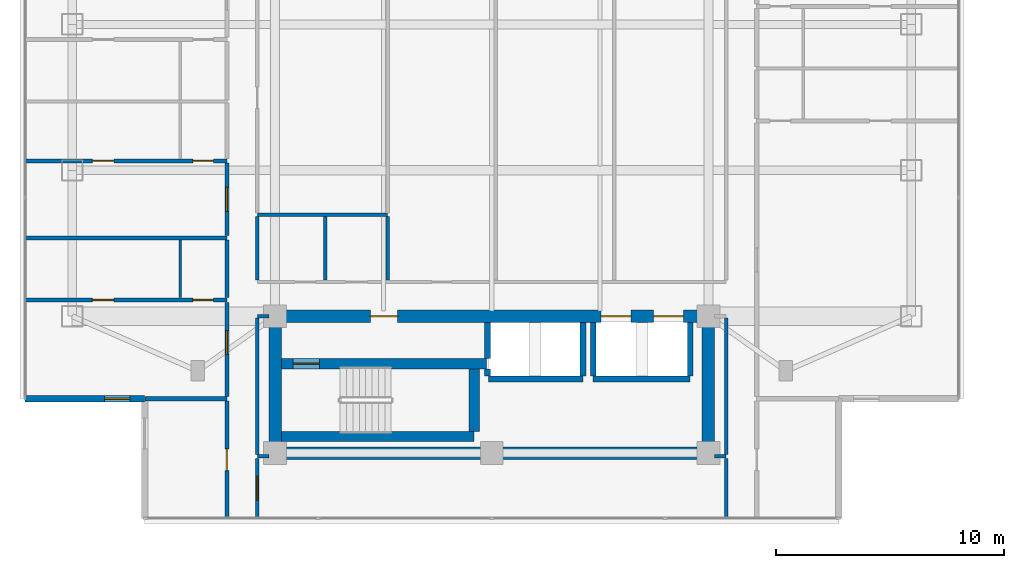
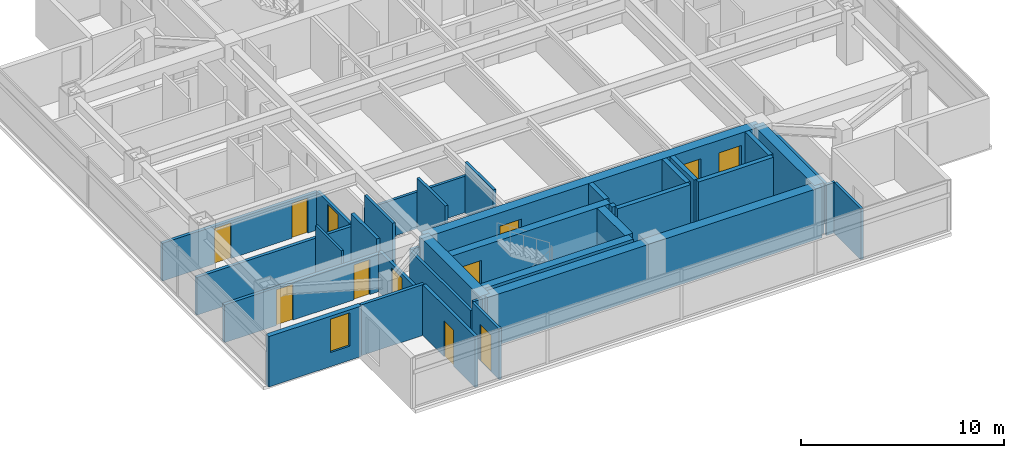
# One storey, part 12 of 24: 35 walls, 12 doors, 1 window, 13 openings.
"""IFC4 building model written with IfcOpenShell, lengths in metres."""

from ifc_helpers import new_model, si_unit, direction, frame, frame_2d, origin, place, context, subcontext, project, spatial, rectangle, extrude, material, layer, layer_set, type_object, element, fill, save


model = new_model("IFC4")

# Units and contexts
model_context = context("Model", 3, precision=1e-05, world=origin(), true_north=direction((0.0, 1.0)))
body_context = subcontext(model_context, "Body", "Model", "MODEL_VIEW")
ifc_project = project(units=[si_unit("LENGTHUNIT", "METRE"), si_unit("AREAUNIT", "SQUARE_METRE"), si_unit("VOLUMEUNIT", "CUBIC_METRE"), si_unit("PLANEANGLEUNIT", "RADIAN"), si_unit("MASSUNIT", "GRAM", prefix="KILO")], contexts=[model_context])

# Site, building, storey
site_placement = place(None, origin())
site = spatial("IfcSite", under=ifc_project, at=site_placement, CompositionType="ELEMENT")
building_placement = place(site_placement, origin())
building = spatial("IfcBuilding", under=site, at=building_placement, Name="Mirazonda Arch Towers", CompositionType="ELEMENT")
storey_placement = place(building_placement, frame((0.0, 0.0, 164.14990234375)))
storey = spatial("IfcBuildingStorey", under=building, at=storey_placement, Name="L46", CompositionType="ELEMENT", Elevation=164.14990234375)

# Wall
ifc_material_1 = material(Name="Concrete C50/60", Category="concrete")
ifc_layer_1 = layer(ifc_material_1, 0.449951171875, Name="WALL-CORE-450")
ifc_layer_set_1 = layer_set([ifc_layer_1], Name="Concrete C50/60")
wall_type_1 = type_object("IfcWallType", Name="WALL-CORE-450", PredefinedType="SHEAR", material=ifc_layer_set_1)
wall_1_placement = place(storey_placement, frame((11.27001953125, 13.1201171875, 0.0), z_axis=(0.0, 0.0, 1.0), x_axis=(1.0, 0.0, 0.0)))
element("IfcWall", 1, at=wall_1_placement, inside=storey, type_object=wall_type_1, Name="L46 Stair Core Shear Wall 003", PredefinedType="SHEAR", context=body_context, shape_type="SweptSolid", body=[
    extrude(rectangle(XDim=8.4599609375, YDim=0.449951171875, at=frame_2d((4.22998046875, 0.0))), origin(), (0.0, 0.0, 1.0), 3.050048828125),
])

# Wall, opening, door
wall_2_placement = place(storey_placement, frame((11.27001953125, 16.320068359375, 0.0), z_axis=(0.0, 0.0, 1.0), x_axis=(1.0, 0.0, 0.0)))
wall_2 = element("IfcWall", 2, at=wall_2_placement, inside=storey, type_object=wall_type_1, Name="L46 Stair Core Shear Wall 008", PredefinedType="SHEAR", context=body_context, shape_type="SweptSolid", body=[
    extrude(rectangle(XDim=9.010009765625, YDim=0.449951171875, at=frame_2d((4.5048828125, 0.0))), origin(), (0.0, 0.0, 1.0), 3.050048828125),
])
opening_1_placement = place(wall_2_placement, frame((0.52001953125, 0.0, 0.0)))
opening_1 = element("IfcOpeningElement", 3, at=opening_1_placement, cuts=wall_2, Name="Opening DR-135", PredefinedType="OPENING", context=body_context, shape_type="SweptSolid", body=[
    extrude(rectangle(XDim=1.14990234375, YDim=2.199951171875, at=frame_2d((0.574951171875, 1.10009765625))), frame((0.0, 0.23486328125, 0.0), z_axis=(0.0, -1.0, 0.0), x_axis=(1.0, 0.0, 0.0)), (0.0, 0.0, 1.0), 0.469970703125),
])
ifc_material_2 = material(Name="Architectural Brushed Steel S355", Category="steel")
door_type_1 = type_object("IfcDoorType", Name="DOOR-STAIR-FD90-1150", OperationType="NOTDEFINED", PredefinedType="DOOR", material=ifc_material_2)
door_1_placement = place(opening_1_placement, origin())
door_1 = element("IfcDoor", 4, at=door_1_placement, inside=storey, type_object=door_type_1, Name="L46 Protected Exit Stair South Door", OperationType="SINGLE_SWING_LEFT", OverallHeight=2.199951171875, OverallWidth=1.14990234375, PredefinedType="DOOR", context=body_context, shape_type="SweptSolid", body=[
    extrude(rectangle(XDim=1.14990234375, YDim=2.199951171875, at=frame_2d((0.574951171875, 1.10009765625))), frame((0.0, 0.02490234375, 0.0), z_axis=(0.0, -1.0, 0.0), x_axis=(1.0, 0.0, 0.0)), (0.0, 0.0, 1.0), 0.050048828125),
])
fill(opening_1, door_1)

# Walls
wall_3_placement = place(storey_placement, frame((19.72998046875, 13.35498046875, 0.0), z_axis=(0.0, 0.0, 1.0), x_axis=(0.0, 1.0, 0.0)))
element("IfcWall", 5, at=wall_3_placement, inside=storey, type_object=wall_type_1, Name="L46 Stair Core Shear Wall 089", PredefinedType="SHEAR", context=body_context, shape_type="SweptSolid", body=[
    extrude(rectangle(XDim=2.72998046875, YDim=0.449951171875, at=frame_2d((1.364990234375, 0.0))), origin(), (0.0, 0.0, 1.0), 3.050048828125),
])
ifc_layer_2 = layer(ifc_material_1, 0.550048828125, Name="WALL-CORE-550")
ifc_layer_set_2 = layer_set([ifc_layer_2], Name="Concrete C50/60")
wall_type_2 = type_object("IfcWallType", Name="WALL-CORE-550", PredefinedType="SHEAR", material=ifc_layer_set_2)
wall_4_placement = place(storey_placement, frame((11.0, 12.39990234375, 0.0), z_axis=(0.0, 0.0, 1.0), x_axis=(1.0, 0.0, 0.0)))
element("IfcWall", 6, at=wall_4_placement, inside=storey, type_object=wall_type_2, Name="L46 T1S-S Core Shear Wall", PredefinedType="SHEAR", context=body_context, shape_type="SweptSolid", body=[
    extrude(rectangle(XDim=19.0, YDim=0.550048828125, at=frame_2d((9.5, 0.0))), origin(), (0.0, 0.0, 1.0), 3.050048828125),
])
for number, where, z_axis, x_axis, name in (
    (7, (11.0, 12.39990234375, 0.0), (0.0, 0.0, 1.0), (0.0, 1.0, 0.0), "L46 T1S-W Core Shear Wall"),
    (8, (30.0, 12.39990234375, 0.0), (0.0, 0.0, 1.0), (0.0, 1.0, 0.0), "L46 T1S-E Core Shear Wall"),
):
    element("IfcWall", number, at=place(storey_placement, frame(where, z_axis=z_axis, x_axis=x_axis)), inside=storey, type_object=wall_type_2, Name=name, PredefinedType="SHEAR", context=body_context, shape_type="SweptSolid", body=[
        extrude(rectangle(XDim=6.0, YDim=0.550048828125, at=frame_2d((3.0, 0.0))), origin(), (0.0, 0.0, 1.0), 3.050048828125),
    ])

# Wall, openings, doors
wall_5_placement = place(storey_placement, frame((11.0, 18.39990234375, 0.0), z_axis=(0.0, 0.0, 1.0), x_axis=(1.0, 0.0, 0.0)))
wall_5 = element("IfcWall", 9, at=wall_5_placement, inside=storey, type_object=wall_type_2, Name="L46 T1S-N Core Shear Wall", PredefinedType="SHEAR", context=body_context, shape_type="SweptSolid", body=[
    extrude(rectangle(XDim=19.0, YDim=0.550048828125, at=frame_2d((9.5, 0.0))), origin(), (0.0, 0.0, 1.0), 3.050048828125),
])
opening_2_placement = place(wall_5_placement, frame((4.175048828125, 0.0, 0.0)))
opening_2 = element("IfcOpeningElement", 10, at=opening_2_placement, cuts=wall_5, Name="Opening DR-117", PredefinedType="OPENING", context=body_context, shape_type="SweptSolid", body=[
    extrude(rectangle(XDim=1.199951171875, YDim=2.25, at=frame_2d((0.60009765625, 1.125))), frame((0.0, 0.284912109375, 0.0), z_axis=(0.0, -1.0, 0.0), x_axis=(1.0, 0.0, 0.0)), (0.0, 0.0, 1.0), 0.570068359375),
])
opening_3_placement = place(wall_5_placement, frame((14.300048828125, 0.0, 0.0)))
opening_3 = element("IfcOpeningElement", 11, at=opening_3_placement, cuts=wall_5, Name="Opening LD-111", PredefinedType="OPENING", context=body_context, shape_type="SweptSolid", body=[
    extrude(rectangle(XDim=1.300048828125, YDim=2.300048828125, at=frame_2d((0.64990234375, 1.14990234375))), frame((0.0, 0.284912109375, 0.0), z_axis=(0.0, -1.0, 0.0), x_axis=(1.0, 0.0, 0.0)), (0.0, 0.0, 1.0), 0.570068359375),
])
opening_4_placement = place(wall_5_placement, frame((16.60009765625, 0.0, 0.0)))
opening_4 = element("IfcOpeningElement", 12, at=opening_4_placement, cuts=wall_5, Name="Opening LD-111", PredefinedType="OPENING", context=body_context, shape_type="SweptSolid", body=[
    extrude(rectangle(XDim=1.300048828125, YDim=2.300048828125, at=frame_2d((0.64990234375, 1.14990234375))), frame((0.0, 0.284912109375, 0.0), z_axis=(0.0, -1.0, 0.0), x_axis=(1.0, 0.0, 0.0)), (0.0, 0.0, 1.0), 0.570068359375),
])
door_type_2 = type_object("IfcDoorType", Name="DOOR-FFL-FD90-1200", OperationType="NOTDEFINED", PredefinedType="DOOR", material=ifc_material_2)
door_2_placement = place(opening_2_placement, origin())
door_2 = element("IfcDoor", 13, at=door_2_placement, inside=storey, type_object=door_type_2, Name="L46 South Core Stair & Lift Lobby Door", OperationType="SINGLE_SWING_RIGHT", OverallHeight=2.25, OverallWidth=1.199951171875, PredefinedType="DOOR", context=body_context, shape_type="SweptSolid", body=[
    extrude(rectangle(XDim=1.199951171875, YDim=2.25, at=frame_2d((0.60009765625, 1.125))), frame((0.0, 0.02490234375, 0.0), z_axis=(0.0, -1.0, 0.0), x_axis=(1.0, 0.0, 0.0)), (0.0, 0.0, 1.0), 0.050048828125),
])
fill(opening_2, door_2)
door_type_3 = type_object("IfcDoorType", Name="DOOR-LIFT-LAND-1300", OperationType="NOTDEFINED", PredefinedType="DOOR", material=ifc_material_2)
door_3_placement = place(opening_3_placement, origin())
door_3 = element("IfcDoor", 14, at=door_3_placement, inside=storey, type_object=door_type_3, Name="L46 Lift Landing Sliding Door PL-T1H1", OperationType="DOUBLE_DOOR_SLIDING", OverallHeight=2.300048828125, OverallWidth=1.300048828125, PredefinedType="DOOR", context=body_context, shape_type="SweptSolid", body=[
    extrude(rectangle(XDim=1.300048828125, YDim=2.300048828125, at=frame_2d((0.64990234375, 1.14990234375))), frame((0.0, 0.02490234375, 0.0), z_axis=(0.0, -1.0, 0.0), x_axis=(1.0, 0.0, 0.0)), (0.0, 0.0, 1.0), 0.050048828125),
])
fill(opening_3, door_3)
door_4_placement = place(opening_4_placement, origin())
door_4 = element("IfcDoor", 15, at=door_4_placement, inside=storey, type_object=door_type_3, Name="L46 Lift Landing Sliding Door PL-T1H2", OperationType="DOUBLE_DOOR_SLIDING", OverallHeight=2.300048828125, OverallWidth=1.300048828125, PredefinedType="DOOR", context=body_context, shape_type="SweptSolid", body=[
    extrude(rectangle(XDim=1.300048828125, YDim=2.300048828125, at=frame_2d((0.64990234375, 1.14990234375))), frame((0.0, 0.02490234375, 0.0), z_axis=(0.0, -1.0, 0.0), x_axis=(1.0, 0.0, 0.0)), (0.0, 0.0, 1.0), 0.050048828125),
])
fill(opening_4, door_4)

# Wall, opening, window
ifc_material_3 = material(Name="Precast Concrete C40/50", Category="concrete")
ifc_layer_3 = layer(ifc_material_3, 0.280029296875, Name="WALL-EXT-WALL-280")
ifc_layer_set_3 = layer_set([ifc_layer_3], Name="Precast Concrete C40/50")
wall_type_3 = type_object("IfcWallType", Name="WALL-EXT-WALL-280", PredefinedType="SOLIDWALL", material=ifc_layer_set_3)
wall_6_placement = place(storey_placement, frame((0.030029296875, 14.781005859375, 0.0), z_axis=(0.0, 0.0, 1.0), x_axis=(1.0, 0.0, 0.0)))
wall_6 = element("IfcWall", 16, at=wall_6_placement, inside=storey, type_object=wall_type_3, Name="L46 T1 Corner Notch Return Wall WL-L46-T1-CSW2", PredefinedType="SOLIDWALL", context=body_context, shape_type="SweptSolid", body=[
    extrude(rectangle(XDim=5.244873046875, YDim=0.280029296875, at=frame_2d((2.62255859375, 0.0))), origin(), (0.0, 0.0, 1.0), 3.030029296875),
])
opening_5_placement = place(wall_6_placement, frame((3.4951171875, 0.0, 0.85009765625)))
opening_5 = element("IfcOpeningElement", 17, at=opening_5_placement, cuts=wall_6, Name="Opening WN-108", PredefinedType="OPENING", context=body_context, shape_type="SweptSolid", body=[
    extrude(rectangle(XDim=1.10009765625, YDim=2.0, at=frame_2d((0.550048828125, 1.0))), frame((0.0, 0.14990234375, 0.0), z_axis=(0.0, -1.0, 0.0), x_axis=(1.0, 0.0, 0.0)), (0.0, 0.0, 1.0), 0.300048828125),
])
ifc_material_4 = material(Name="Insulated Low-E Solar Glass", Category="glass")
window_type = type_object("IfcWindowType", Name="WIN-NOTCH-1100x2000", PartitioningType="SINGLE_PANEL", PredefinedType="WINDOW", material=ifc_material_4)
window_placement = place(opening_5_placement, origin())
window = element("IfcWindow", 18, at=window_placement, inside=storey, type_object=window_type, Name="L46 Punched Facade Window WN-L46-T1-CSW2", OverallHeight=2.0, OverallWidth=1.10009765625, PartitioningType="SINGLE_PANEL", PredefinedType="WINDOW", context=body_context, shape_type="SweptSolid", body=[
    extrude(rectangle(XDim=1.10009765625, YDim=2.0, at=frame_2d((0.550048828125, 1.0))), frame((0.0, 0.030029296875, 0.0), z_axis=(0.0, -1.0, 0.0), x_axis=(1.0, 0.0, 0.0)), (0.0, 0.0, 1.0), 0.06005859375),
])
fill(opening_5, window)

# Walls
ifc_material_5 = material(Name="Fire-Rated Gypsum Stud Partition")
ifc_layer_4 = layer(ifc_material_5, 0.14990234375, Name="WALL-PART-CORR-150")
ifc_layer_set_4 = layer_set([ifc_layer_4], Name="Fire-Rated Gypsum Stud Partition")
wall_type_4 = type_object("IfcWallType", Name="WALL-PART-CORR-150", PredefinedType="PARTITIONING", material=ifc_layer_set_4)
for number, where, z_axis, x_axis, name in (
    (19, (10.219970703125, 12.25, 0.0), (0.0, 0.0, 1.0), (1.0, 0.0, 0.0), "L46 Interior Partition 001"),
    (20, (30.27001953125, 12.25, 0.0), (0.0, 0.0, 1.0), (1.0, 0.0, 0.0), "L46 Interior Partition 002"),
):
    element("IfcWall", number, at=place(storey_placement, frame(where, z_axis=z_axis, x_axis=x_axis)), inside=storey, type_object=wall_type_4, Name=name, PredefinedType="PARTITIONING", context=body_context, shape_type="SweptSolid", body=[
        extrude(rectangle(XDim=0.510009765625, YDim=0.14990234375, at=frame_2d((0.2548828125, 0.0))), origin(), (0.0, 0.0, 1.0), 3.050048828125),
    ])
wall_7_placement = place(storey_placement, frame((10.219970703125, 18.39990234375, 0.0), z_axis=(0.0, 0.0, 1.0), x_axis=(1.0, 0.0, 0.0)))
element("IfcWall", 21, at=wall_7_placement, inside=storey, type_object=wall_type_4, Name="L46 Interior Partition 012", PredefinedType="PARTITIONING", context=body_context, shape_type="SweptSolid", body=[
    extrude(rectangle(XDim=0.510009765625, YDim=0.14990234375, at=frame_2d((0.2548828125, 0.0))), origin(), (0.0, 0.0, 1.0), 2.442138671875),
])
wall_8_placement = place(storey_placement, frame((10.219970703125, 22.85009765625, 0.0), z_axis=(0.0, 0.0, 1.0), x_axis=(1.0, 0.0, 0.0)))
element("IfcWall", 22, at=wall_8_placement, inside=storey, type_object=wall_type_4, Name="L46 Interior Partition 024", PredefinedType="PARTITIONING", context=body_context, shape_type="SweptSolid", body=[
    extrude(rectangle(XDim=5.7099609375, YDim=0.14990234375, at=frame_2d((2.85498046875, 0.0))), origin(), (0.0, 0.0, 1.0), 2.18603515625),
])

# Wall, opening, door
wall_9_placement = place(storey_placement, frame((10.219970703125, 9.535888671875, 0.0), z_axis=(0.0, 0.0, 1.0), x_axis=(0.0, 1.0, 0.0)))
wall_9 = element("IfcWall", 23, at=wall_9_placement, inside=storey, type_object=wall_type_4, Name="L46 Interior Partition 076", PredefinedType="PARTITIONING", context=body_context, shape_type="SweptSolid", body=[
    extrude(rectangle(XDim=2.629150390625, YDim=0.14990234375, at=frame_2d((1.314453125, 0.0))), origin(), (0.0, 0.0, 1.0), 3.050048828125),
])
opening_6_placement = place(wall_9_placement, frame((0.78955078125, 0.0, 0.0)))
opening_6 = element("IfcOpeningElement", 24, at=opening_6_placement, cuts=wall_9, Name="Opening DR-121", PredefinedType="OPENING", context=body_context, shape_type="SweptSolid", body=[
    extrude(rectangle(XDim=1.050048828125, YDim=2.199951171875, at=frame_2d((0.52490234375, 1.10009765625))), frame((0.0, 0.0849609375, 0.0), z_axis=(0.0, -1.0, 0.0), x_axis=(1.0, 0.0, 0.0)), (0.0, 0.0, 1.0), 0.169921875),
])
door_type_4 = type_object("IfcDoorType", Name="DOOR-SUITE-FD60-1050", OperationType="NOTDEFINED", PredefinedType="DOOR", material=ifc_material_2)
door_5_placement = place(opening_6_placement, origin())
door_5 = element("IfcDoor", 25, at=door_5_placement, inside=storey, type_object=door_type_4, Name="L46 South Horizon Lounge Gallery Door", OperationType="SINGLE_SWING_RIGHT", OverallHeight=2.199951171875, OverallWidth=1.050048828125, PredefinedType="DOOR", context=body_context, shape_type="SweptSolid", body=[
    extrude(rectangle(XDim=1.050048828125, YDim=2.199951171875, at=frame_2d((0.52490234375, 1.10009765625))), frame((0.0, 0.02490234375, 0.0), z_axis=(0.0, -1.0, 0.0), x_axis=(1.0, 0.0, 0.0)), (0.0, 0.0, 1.0), 0.050048828125),
])
fill(opening_6, door_5)

# Walls
wall_10_placement = place(storey_placement, frame((10.219970703125, 12.3349609375, 0.0), z_axis=(0.0, 0.0, 1.0), x_axis=(0.0, 1.0, 0.0)))
element("IfcWall", 26, at=wall_10_placement, inside=storey, type_object=wall_type_4, Name="L46 Interior Partition 077", PredefinedType="PARTITIONING", context=body_context, shape_type="SweptSolid", body=[
    extrude(rectangle(XDim=5.97998046875, YDim=0.14990234375, at=frame_2d((2.989990234375, 0.0))), origin(), (0.0, 0.0, 1.0), 2.442138671875),
])
for number, where, z_axis, x_axis, name in (
    (27, (10.219970703125, 19.985107421875, 0.0), (0.0, 0.0, 1.0), (0.0, 1.0, 0.0), "L46 Interior Partition 078"),
    (28, (13.199951171875, 19.985107421875, 0.0), (0.0, 0.0, 1.0), (0.0, 1.0, 0.0), "L46 Interior Partition 083"),
    (29, (15.929931640625, 19.985107421875, 0.0), (0.0, 0.0, 1.0), (0.0, 1.0, 0.0), "L46 Interior Partition 085"),
):
    element("IfcWall", number, at=place(storey_placement, frame(where, z_axis=z_axis, x_axis=x_axis)), inside=storey, type_object=wall_type_4, Name=name, PredefinedType="PARTITIONING", context=body_context, shape_type="SweptSolid", body=[
        extrude(rectangle(XDim=2.77978515625, YDim=0.14990234375, at=frame_2d((1.389892578125, 0.0))), origin(), (0.0, 0.0, 1.0), 3.050048828125),
    ])
wall_11_placement = place(storey_placement, frame((30.780029296875, 9.535888671875, 0.0), z_axis=(0.0, 0.0, 1.0), x_axis=(0.0, 1.0, 0.0)))
element("IfcWall", 30, at=wall_11_placement, inside=storey, type_object=wall_type_4, Name="L46 Interior Partition 106", PredefinedType="PARTITIONING", context=body_context, shape_type="SweptSolid", body=[
    extrude(rectangle(XDim=2.629150390625, YDim=0.14990234375, at=frame_2d((1.314453125, 0.0))), origin(), (0.0, 0.0, 1.0), 3.050048828125),
])
wall_12_placement = place(storey_placement, frame((30.780029296875, 12.3349609375, 0.0), z_axis=(0.0, 0.0, 1.0), x_axis=(0.0, 1.0, 0.0)))
element("IfcWall", 31, at=wall_12_placement, inside=storey, type_object=wall_type_4, Name="L46 Interior Partition 107", PredefinedType="PARTITIONING", context=body_context, shape_type="SweptSolid", body=[
    extrude(rectangle(XDim=5.97998046875, YDim=0.14990234375, at=frame_2d((2.989990234375, 0.0))), origin(), (0.0, 0.0, 1.0), 2.442138671875),
])
ifc_material_6 = material(Name="Fire-Rated Gypsum Twin-Stud Assembly")
ifc_layer_5 = layer(ifc_material_6, 0.179931640625, Name="WALL-PART-DEMISE-180")
ifc_layer_set_5 = layer_set([ifc_layer_5], Name="Fire-Rated Gypsum Twin-Stud Assembly")
wall_type_5 = type_object("IfcWallType", Name="WALL-PART-DEMISE-180", PredefinedType="PARTITIONING", material=ifc_layer_set_5)
wall_13_placement = place(storey_placement, frame((5.294921875, 14.781005859375, 0.0), z_axis=(0.0, 0.0, 1.0), x_axis=(1.0, 0.0, 0.0)))
element("IfcWall", 32, at=wall_13_placement, inside=storey, type_object=wall_type_5, Name="L46 Interior Partition 004", PredefinedType="PARTITIONING", context=body_context, shape_type="SweptSolid", body=[
    extrude(rectangle(XDim=3.5849609375, YDim=0.179931640625, at=frame_2d((1.79248046875, 0.0))), origin(), (0.0, 0.0, 1.0), 3.050048828125),
])

# Wall, openings, doors
wall_14_placement = place(storey_placement, frame((0.030029296875, 19.113037109375, 0.0), z_axis=(0.0, 0.0, 1.0), x_axis=(1.0, 0.0, 0.0)))
wall_14 = element("IfcWall", 33, at=wall_14_placement, inside=storey, type_object=wall_type_5, Name="L46 Interior Partition 015", PredefinedType="PARTITIONING", context=body_context, shape_type="SweptSolid", body=[
    extrude(rectangle(XDim=8.849853515625, YDim=0.179931640625, at=frame_2d((4.4248046875, 0.0))), origin(), (0.0, 0.0, 1.0), 2.26904296875),
])
opening_7_placement = place(wall_14_placement, frame((2.949951171875, 0.0, 0.0)))
opening_7 = element("IfcOpeningElement", 34, at=opening_7_placement, cuts=wall_14, Name="Opening DR-104", PredefinedType="OPENING", context=body_context, shape_type="SweptSolid", body=[
    extrude(rectangle(XDim=0.949951171875, YDim=2.14990234375, at=frame_2d((0.47509765625, 1.074951171875))), frame((0.0, 0.099853515625, 0.0), z_axis=(0.0, -1.0, 0.0), x_axis=(1.0, 0.0, 0.0)), (0.0, 0.0, 1.0), 0.199951171875),
])
opening_8_placement = place(wall_14_placement, frame((7.360107421875, 0.0, 0.0)))
opening_8 = element("IfcOpeningElement", 35, at=opening_8_placement, cuts=wall_14, Name="Opening DR-120", PredefinedType="OPENING", context=body_context, shape_type="SweptSolid", body=[
    extrude(rectangle(XDim=0.89990234375, YDim=2.10009765625, at=frame_2d((0.449951171875, 1.050048828125))), frame((0.0, 0.099853515625, 0.0), z_axis=(0.0, -1.0, 0.0), x_axis=(1.0, 0.0, 0.0)), (0.0, 0.0, 1.0), 0.199951171875),
])
door_type_5 = type_object("IfcDoorType", Name="DOOR-ROOM-950", OperationType="NOTDEFINED", PredefinedType="DOOR", material=ifc_material_2)
door_6_placement = place(opening_7_placement, origin())
door_6 = element("IfcDoor", 36, at=door_6_placement, inside=storey, type_object=door_type_5, Name="L46 Guestroom Study 1 Door", OperationType="SINGLE_SWING_RIGHT", OverallHeight=2.14990234375, OverallWidth=0.949951171875, PredefinedType="DOOR", context=body_context, shape_type="SweptSolid", body=[
    extrude(rectangle(XDim=0.949951171875, YDim=2.14990234375, at=frame_2d((0.47509765625, 1.074951171875))), frame((0.0, 0.02490234375, 0.0), z_axis=(0.0, -1.0, 0.0), x_axis=(1.0, 0.0, 0.0)), (0.0, 0.0, 1.0), 0.050048828125),
])
fill(opening_7, door_6)
door_type_6 = type_object("IfcDoorType", Name="DOOR-WC-900", OperationType="NOTDEFINED", PredefinedType="DOOR", material=ifc_material_2)
door_7_placement = place(opening_8_placement, origin())
door_7 = element("IfcDoor", 37, at=door_7_placement, inside=storey, type_object=door_type_6, Name="L46 En-Suite Bathroom 1 Door", OperationType="SINGLE_SWING_LEFT", OverallHeight=2.10009765625, OverallWidth=0.89990234375, PredefinedType="DOOR", context=body_context, shape_type="SweptSolid", body=[
    extrude(rectangle(XDim=0.89990234375, YDim=2.10009765625, at=frame_2d((0.449951171875, 1.050048828125))), frame((0.0, 0.02490234375, 0.0), z_axis=(0.0, -1.0, 0.0), x_axis=(1.0, 0.0, 0.0)), (0.0, 0.0, 1.0), 0.050048828125),
])
fill(opening_8, door_7)

# Wall
wall_15_placement = place(storey_placement, frame((0.030029296875, 21.8330078125, 0.0), z_axis=(0.0, 0.0, 1.0), x_axis=(1.0, 0.0, 0.0)))
element("IfcWall", 38, at=wall_15_placement, inside=storey, type_object=wall_type_5, Name="L46 Interior Partition 021", PredefinedType="PARTITIONING", context=body_context, shape_type="SweptSolid", body=[
    extrude(rectangle(XDim=8.849853515625, YDim=0.179931640625, at=frame_2d((4.4248046875, 0.0))), origin(), (0.0, 0.0, 1.0), 2.26904296875),
])

# Wall, openings, doors
wall_16_placement = place(storey_placement, frame((0.030029296875, 25.214111328125, 0.0), z_axis=(0.0, 0.0, 1.0), x_axis=(1.0, 0.0, 0.0)))
wall_16 = element("IfcWall", 39, at=wall_16_placement, inside=storey, type_object=wall_type_5, Name="L46 Interior Partition 027", PredefinedType="PARTITIONING", context=body_context, shape_type="SweptSolid", body=[
    extrude(rectangle(XDim=8.849853515625, YDim=0.179931640625, at=frame_2d((4.4248046875, 0.0))), origin(), (0.0, 0.0, 1.0), 2.26904296875),
])
opening_9_placement = place(wall_16_placement, frame((2.949951171875, 0.0, 0.0)))
opening_9 = element("IfcOpeningElement", 40, at=opening_9_placement, cuts=wall_16, Name="Opening DR-104", PredefinedType="OPENING", context=body_context, shape_type="SweptSolid", body=[
    extrude(rectangle(XDim=0.949951171875, YDim=2.14990234375, at=frame_2d((0.47509765625, 1.074951171875))), frame((0.0, 0.099853515625, 0.0), z_axis=(0.0, -1.0, 0.0), x_axis=(1.0, 0.0, 0.0)), (0.0, 0.0, 1.0), 0.199951171875),
])
opening_10_placement = place(wall_16_placement, frame((7.360107421875, 0.0, 0.0)))
opening_10 = element("IfcOpeningElement", 41, at=opening_10_placement, cuts=wall_16, Name="Opening DR-120", PredefinedType="OPENING", context=body_context, shape_type="SweptSolid", body=[
    extrude(rectangle(XDim=0.89990234375, YDim=2.10009765625, at=frame_2d((0.449951171875, 1.050048828125))), frame((0.0, 0.099853515625, 0.0), z_axis=(0.0, -1.0, 0.0), x_axis=(1.0, 0.0, 0.0)), (0.0, 0.0, 1.0), 0.199951171875),
])
door_8_placement = place(opening_9_placement, origin())
door_8 = element("IfcDoor", 42, at=door_8_placement, inside=storey, type_object=door_type_5, Name="L46 Guestroom Study 2 Door", OperationType="SINGLE_SWING_LEFT", OverallHeight=2.14990234375, OverallWidth=0.949951171875, PredefinedType="DOOR", context=body_context, shape_type="SweptSolid", body=[
    extrude(rectangle(XDim=0.949951171875, YDim=2.14990234375, at=frame_2d((0.47509765625, 1.074951171875))), frame((0.0, 0.02490234375, 0.0), z_axis=(0.0, -1.0, 0.0), x_axis=(1.0, 0.0, 0.0)), (0.0, 0.0, 1.0), 0.050048828125),
])
fill(opening_9, door_8)
door_9_placement = place(opening_10_placement, origin())
door_9 = element("IfcDoor", 43, at=door_9_placement, inside=storey, type_object=door_type_6, Name="L46 En-Suite Bathroom 2 Door", OperationType="SINGLE_SWING_RIGHT", OverallHeight=2.10009765625, OverallWidth=0.89990234375, PredefinedType="DOOR", context=body_context, shape_type="SweptSolid", body=[
    extrude(rectangle(XDim=0.89990234375, YDim=2.10009765625, at=frame_2d((0.449951171875, 1.050048828125))), frame((0.0, 0.02490234375, 0.0), z_axis=(0.0, -1.0, 0.0), x_axis=(1.0, 0.0, 0.0)), (0.0, 0.0, 1.0), 0.050048828125),
])
fill(opening_10, door_9)

# Wall, opening, door
wall_17_placement = place(storey_placement, frame((8.8798828125, 9.535888671875, 0.0), z_axis=(0.0, 0.0, 1.0), x_axis=(0.0, 1.0, 0.0)))
wall_17 = element("IfcWall", 44, at=wall_17_placement, inside=storey, type_object=wall_type_5, Name="L46 Interior Partition 066", PredefinedType="PARTITIONING", context=body_context, shape_type="SweptSolid", body=[
    extrude(rectangle(XDim=5.14501953125, YDim=0.179931640625, at=frame_2d((2.572509765625, 0.0))), origin(), (0.0, 0.0, 1.0), 3.050048828125),
])
opening_11_placement = place(wall_17_placement, frame((2.097412109375, 0.0, 0.0)))
opening_11 = element("IfcOpeningElement", 45, at=opening_11_placement, cuts=wall_17, Name="Opening DR-104", PredefinedType="OPENING", context=body_context, shape_type="SweptSolid", body=[
    extrude(rectangle(XDim=0.949951171875, YDim=2.14990234375, at=frame_2d((0.47509765625, 1.074951171875))), frame((0.0, 0.099853515625, 0.0), z_axis=(0.0, -1.0, 0.0), x_axis=(1.0, 0.0, 0.0)), (0.0, 0.0, 1.0), 0.199951171875),
])
door_10_placement = place(opening_11_placement, origin())
door_10 = element("IfcDoor", 46, at=door_10_placement, inside=storey, type_object=door_type_5, Name="L46 South Horizon Lounge Alcove West Door", OperationType="SINGLE_SWING_LEFT", OverallHeight=2.14990234375, OverallWidth=0.949951171875, PredefinedType="DOOR", context=body_context, shape_type="SweptSolid", body=[
    extrude(rectangle(XDim=0.949951171875, YDim=2.14990234375, at=frame_2d((0.47509765625, 1.074951171875))), frame((0.0, 0.02490234375, 0.0), z_axis=(0.0, -1.0, 0.0), x_axis=(1.0, 0.0, 0.0)), (0.0, 0.0, 1.0), 0.050048828125),
])
fill(opening_11, door_10)

wall_18_placement = place(storey_placement, frame((8.8798828125, 14.881103515625, 0.0), z_axis=(0.0, 0.0, 1.0), x_axis=(0.0, 1.0, 0.0)))
wall_18 = element("IfcWall", 47, at=wall_18_placement, inside=storey, type_object=wall_type_5, Name="L46 Interior Partition 067", PredefinedType="PARTITIONING", context=body_context, shape_type="SweptSolid", body=[
    extrude(rectangle(XDim=4.1318359375, YDim=0.179931640625, at=frame_2d((2.06591796875, 0.0))), origin(), (0.0, 0.0, 1.0), 2.442138671875),
])
opening_12_placement = place(wall_18_placement, frame((1.841064453125, 0.0, 0.0)))
opening_12 = element("IfcOpeningElement", 48, at=opening_12_placement, cuts=wall_18, Name="Opening DR-121", PredefinedType="OPENING", context=body_context, shape_type="SweptSolid", body=[
    extrude(rectangle(XDim=1.050048828125, YDim=2.199951171875, at=frame_2d((0.52490234375, 1.10009765625))), frame((0.0, 0.099853515625, 0.0), z_axis=(0.0, -1.0, 0.0), x_axis=(1.0, 0.0, 0.0)), (0.0, 0.0, 1.0), 0.199951171875),
])
door_11_placement = place(opening_12_placement, origin())
door_11 = element("IfcDoor", 49, at=door_11_placement, inside=storey, type_object=door_type_4, Name="L46 King Hotel Guestroom 1 Door", OperationType="SINGLE_SWING_LEFT", OverallHeight=2.199951171875, OverallWidth=1.050048828125, PredefinedType="DOOR", context=body_context, shape_type="SweptSolid", body=[
    extrude(rectangle(XDim=1.050048828125, YDim=2.199951171875, at=frame_2d((0.52490234375, 1.10009765625))), frame((0.0, 0.02490234375, 0.0), z_axis=(0.0, -1.0, 0.0), x_axis=(1.0, 0.0, 0.0)), (0.0, 0.0, 1.0), 0.050048828125),
])
fill(opening_12, door_11)

# Wall
wall_19_placement = place(storey_placement, frame((8.8798828125, 19.212890625, 0.0), z_axis=(0.0, 0.0, 1.0), x_axis=(0.0, 1.0, 0.0)))
element("IfcWall", 50, at=wall_19_placement, inside=storey, type_object=wall_type_5, Name="L46 Interior Partition 068", PredefinedType="PARTITIONING", context=body_context, shape_type="SweptSolid", body=[
    extrude(rectangle(XDim=2.52001953125, YDim=0.179931640625, at=frame_2d((1.260009765625, 0.0))), origin(), (0.0, 0.0, 1.0), 3.050048828125),
])

# Wall, opening, door
wall_20_placement = place(storey_placement, frame((8.8798828125, 21.93310546875, 0.0), z_axis=(0.0, 0.0, 1.0), x_axis=(0.0, 1.0, 0.0)))
wall_20 = element("IfcWall", 51, at=wall_20_placement, inside=storey, type_object=wall_type_5, Name="L46 Interior Partition 069", PredefinedType="PARTITIONING", context=body_context, shape_type="SweptSolid", body=[
    extrude(rectangle(XDim=3.180908203125, YDim=0.179931640625, at=frame_2d((1.59033203125, 0.0))), origin(), (0.0, 0.0, 1.0), 2.34619140625),
])
opening_13_placement = place(wall_20_placement, frame((1.0654296875, 0.0, 0.0)))
opening_13 = element("IfcOpeningElement", 52, at=opening_13_placement, cuts=wall_20, Name="Opening DR-121", PredefinedType="OPENING", context=body_context, shape_type="SweptSolid", body=[
    extrude(rectangle(XDim=1.050048828125, YDim=2.199951171875, at=frame_2d((0.52490234375, 1.10009765625))), frame((0.0, 0.099853515625, 0.0), z_axis=(0.0, -1.0, 0.0), x_axis=(1.0, 0.0, 0.0)), (0.0, 0.0, 1.0), 0.199951171875),
])
door_12_placement = place(opening_13_placement, origin())
door_12 = element("IfcDoor", 53, at=door_12_placement, inside=storey, type_object=door_type_4, Name="L46 Twin Hotel Guestroom 2 Door", OperationType="SINGLE_SWING_RIGHT", OverallHeight=2.199951171875, OverallWidth=1.050048828125, PredefinedType="DOOR", context=body_context, shape_type="SweptSolid", body=[
    extrude(rectangle(XDim=1.050048828125, YDim=2.199951171875, at=frame_2d((0.52490234375, 1.10009765625))), frame((0.0, 0.02490234375, 0.0), z_axis=(0.0, -1.0, 0.0), x_axis=(1.0, 0.0, 0.0)), (0.0, 0.0, 1.0), 0.050048828125),
])
fill(opening_13, door_12)

# Walls
ifc_material_7 = material(Name="Acoustic Fire-Rated Gypsum Partition")
ifc_layer_6 = layer(ifc_material_7, 0.125, Name="WALL-PART-UNIT-125")
ifc_layer_set_6 = layer_set([ifc_layer_6], Name="Acoustic Fire-Rated Gypsum Partition")
wall_type_6 = type_object("IfcWallType", Name="WALL-PART-UNIT-125", PredefinedType="PARTITIONING", material=ifc_layer_set_6)
wall_21_placement = place(storey_placement, frame((6.840087890625, 19.212890625, 0.0), z_axis=(0.0, 0.0, 1.0), x_axis=(0.0, 1.0, 0.0)))
element("IfcWall", 54, at=wall_21_placement, inside=storey, type_object=wall_type_6, Name="L46 Interior Partition 062", PredefinedType="PARTITIONING", context=body_context, shape_type="SweptSolid", body=[
    extrude(rectangle(XDim=2.52001953125, YDim=0.125, at=frame_2d((1.260009765625, 0.0))), origin(), (0.0, 0.0, 1.0), 3.050048828125),
])
ifc_material_8 = material(Name="Concrete C40/50", Category="concrete")
ifc_layer_7 = layer(ifc_material_8, 0.25, Name="WALL-SHAFT-250")
ifc_layer_set_7 = layer_set([ifc_layer_7], Name="Concrete C40/50")
wall_type_7 = type_object("IfcWallType", Name="WALL-SHAFT-250", PredefinedType="SOLIDWALL", material=ifc_layer_set_7)
wall_22_placement = place(storey_placement, frame((20.35009765625, 15.64990234375, 0.0), z_axis=(0.0, 0.0, 1.0), x_axis=(1.0, 0.0, 0.0)))
element("IfcWall", 55, at=wall_22_placement, inside=storey, type_object=wall_type_7, Name="L46 Interior Partition 006", PredefinedType="SOLIDWALL", context=body_context, shape_type="SweptSolid", body=[
    extrude(rectangle(XDim=4.14990234375, YDim=0.25, at=frame_2d((2.074951171875, 0.0))), origin(), (0.0, 0.0, 1.0), 3.050048828125),
])
wall_23_placement = place(storey_placement, frame((24.949951171875, 15.64990234375, 0.0), z_axis=(0.0, 0.0, 1.0), x_axis=(1.0, 0.0, 0.0)))
element("IfcWall", 56, at=wall_23_placement, inside=storey, type_object=wall_type_7, Name="L46 Interior Partition 007", PredefinedType="SOLIDWALL", context=body_context, shape_type="SweptSolid", body=[
    extrude(rectangle(XDim=4.25, YDim=0.25, at=frame_2d((2.125, 0.0))), origin(), (0.0, 0.0, 1.0), 3.050048828125),
])
wall_24_placement = place(storey_placement, frame((20.31494140625, 15.784912109375, 0.0), z_axis=(0.0, 0.0, 1.0), x_axis=(0.0, 1.0, 0.0)))
element("IfcWall", 57, at=wall_24_placement, inside=storey, type_object=wall_type_7, Name="L46 Interior Partition 091", PredefinedType="SOLIDWALL", context=body_context, shape_type="SweptSolid", body=[
    extrude(rectangle(XDim=0.300048828125, YDim=0.25, at=frame_2d((0.14990234375, 0.0))), origin(), (0.0, 0.0, 1.0), 3.050048828125),
])
wall_25_placement = place(storey_placement, frame((20.31494140625, 16.554931640625, 0.0), z_axis=(0.0, 0.0, 1.0), x_axis=(0.0, 1.0, 0.0)))
element("IfcWall", 58, at=wall_25_placement, inside=storey, type_object=wall_type_7, Name="L46 Interior Partition 092", PredefinedType="SOLIDWALL", context=body_context, shape_type="SweptSolid", body=[
    extrude(rectangle(XDim=1.574951171875, YDim=0.25, at=frame_2d((0.78759765625, 0.0))), origin(), (0.0, 0.0, 1.0), 3.050048828125),
])
for number, where, z_axis, x_axis, name in (
    (59, (24.5, 15.784912109375, 0.0), (0.0, 0.0, 1.0), (0.0, 1.0, 0.0), "L46 Interior Partition 095"),
    (60, (24.949951171875, 15.784912109375, 0.0), (0.0, 0.0, 1.0), (0.0, 1.0, 0.0), "L46 Interior Partition 097"),
    (61, (29.199951171875, 15.784912109375, 0.0), (0.0, 0.0, 1.0), (0.0, 1.0, 0.0), "L46 Interior Partition 103"),
):
    element("IfcWall", number, at=place(storey_placement, frame(where, z_axis=z_axis, x_axis=x_axis)), inside=storey, type_object=wall_type_7, Name=name, PredefinedType="SOLIDWALL", context=body_context, shape_type="SweptSolid", body=[
        extrude(rectangle(XDim=2.344970703125, YDim=0.25, at=frame_2d((1.17236328125, 0.0))), origin(), (0.0, 0.0, 1.0), 3.050048828125),
    ])

save(model, "model.ifc")
